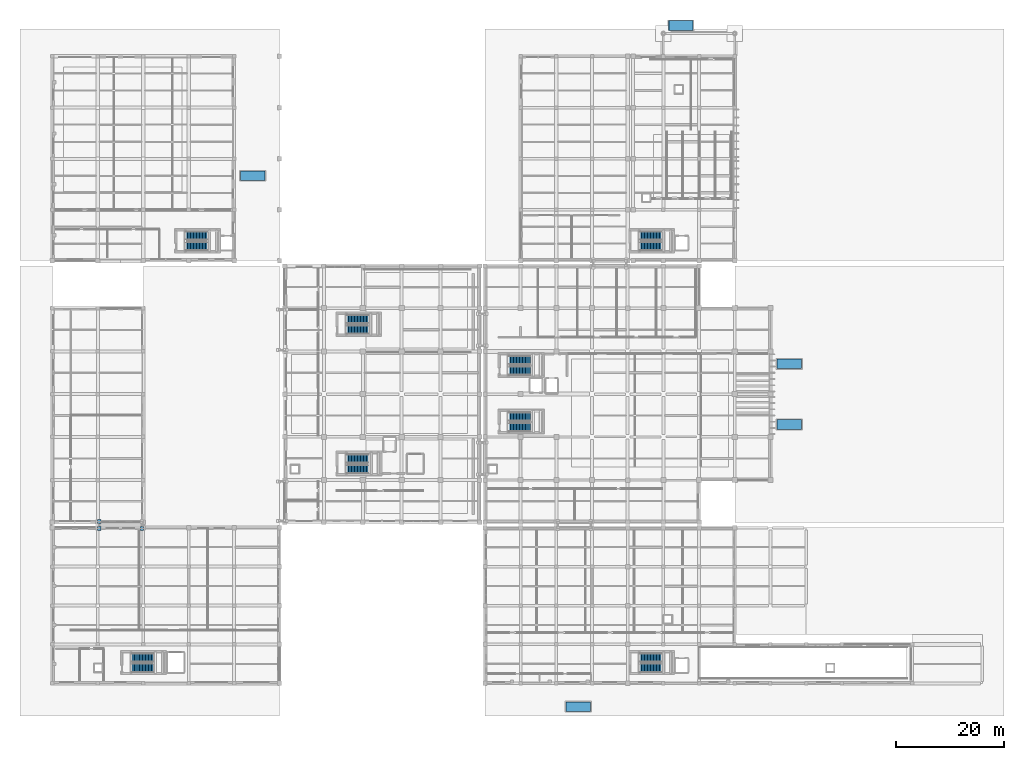
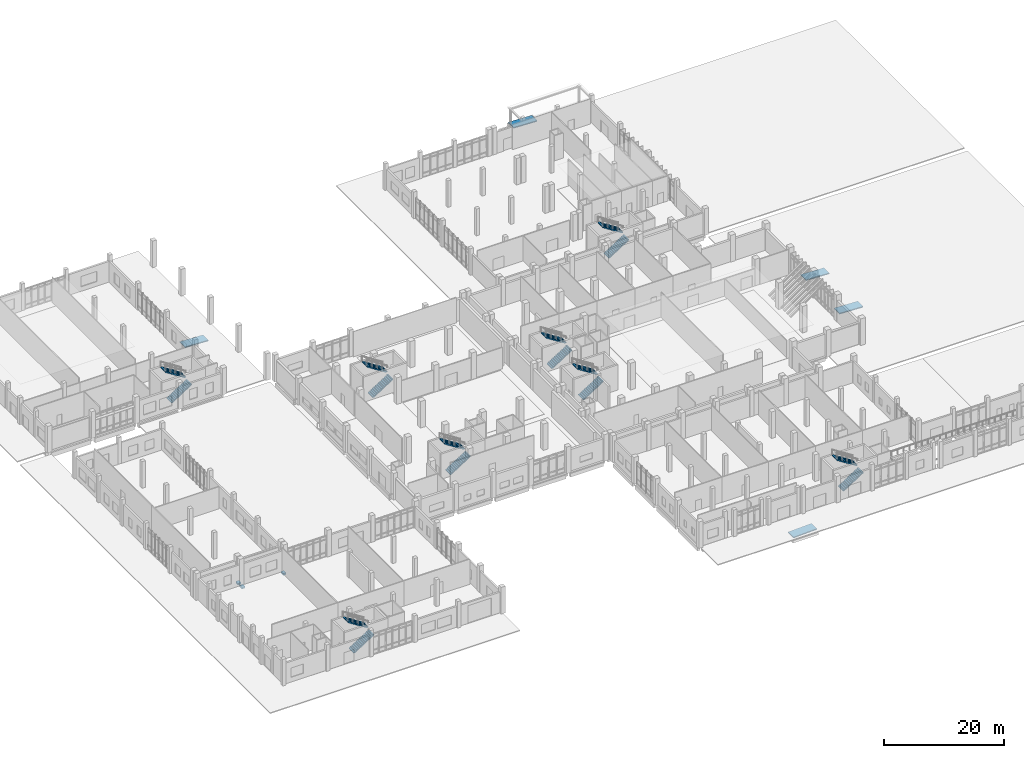
# One storey, part 62 of 79: 16 stair flights, 5 ramp flights, 3 discrete accessories, 13 elements without a shape of their own.
"""IFC4 building model written with IfcOpenShell, lengths in metres."""

from ifc_helpers import new_model, si_unit, direction, frame, origin, origin_2d, place, context, subcontext, project, spatial, polyline, rectangle, outline, extrude, material, layer, layer_set, type_object, element, aggregate, save


model = new_model("IFC4")

# Units and contexts
model_context = context("Model", 3, precision=1e-05, world=origin(), true_north=direction((0.0, 1.0)))
body_context = subcontext(model_context, "Body", "Model", "MODEL_VIEW")
ifc_project = project(units=[si_unit("LENGTHUNIT", "METRE"), si_unit("AREAUNIT", "SQUARE_METRE"), si_unit("VOLUMEUNIT", "CUBIC_METRE"), si_unit("PLANEANGLEUNIT", "RADIAN"), si_unit("MASSUNIT", "GRAM", prefix="KILO")], contexts=[model_context])

# Site, building, storey
site_placement = place(None, origin())
site = spatial("IfcSite", under=ifc_project, at=site_placement, CompositionType="ELEMENT")
building_placement = place(site_placement, origin())
building = spatial("IfcBuilding", under=site, at=building_placement, Name="Kelarvand Opera House", CompositionType="ELEMENT")
storey_placement = place(building_placement, origin())
storey = spatial("IfcBuildingStorey", under=building, at=storey_placement, Name="L00", CompositionType="ELEMENT", Elevation=0.0)

# Stair, stair flights
ifc_material_1 = material(Name="Concrete C35/45", Category="concrete")
stair_type = type_object("IfcStairType", Name="Dogleg Concrete Exit Stair 1660mm 30R STA-02", PredefinedType="HALF_TURN_STAIR", material=ifc_material_1)
stair_1_placement = place(storey_placement, origin())
stair_1 = element("IfcStair", 1, at=stair_1_placement, inside=storey, type_object=stair_type, Name="L00 Auditorium North Firefighting and Public Core C1 Stair ST-01", PredefinedType="HALF_TURN_STAIR")
stair_flight_type = type_object("IfcStairFlightType", Name="Precast Stair Flight 1660mm 15x180mm STF-02", PredefinedType="STRAIGHT", material=ifc_material_1)
stair_flight_1_placement = place(storey_placement, frame((93.4599609375, 66.830078125, 0.0), z_axis=(0.0, 0.0, 1.0), x_axis=(1.0, 0.0, 0.0)))
stair_flight_1 = element("IfcStairFlight", 2, at=stair_flight_1_placement, type_object=stair_flight_type, Name="ST-01 flight 1", NumberOfRisers=15, NumberOfTreads=14, PredefinedType="STRAIGHT", RiserHeight=0.18, TreadLength=0.28, context=body_context, shape_type="SweptSolid", body=[
    extrude(outline(polyline([(0.0, 0.0), (0.0, 0.179931640625), (0.280029296875, 0.179931640625), (0.280029296875, 0.360107421875), (0.56005859375, 0.360107421875), (0.56005859375, 0.5400390625), (0.840087890625, 0.5400390625), (0.840087890625, 0.719970703125), (1.1201171875, 0.719970703125), (1.1201171875, 0.89990234375), (1.39990234375, 0.89990234375), (1.39990234375, 1.080078125), (1.679931640625, 1.080078125), (1.679931640625, 1.260009765625), (1.9599609375, 1.260009765625), (1.9599609375, 1.43994140625), (2.239990234375, 1.43994140625), (2.239990234375, 1.6201171875), (2.52001953125, 1.6201171875), (2.52001953125, 1.800048828125), (2.800048828125, 1.800048828125), (2.800048828125, 1.97998046875), (3.080078125, 1.97998046875), (3.080078125, 2.159912109375), (3.360107421875, 2.159912109375), (3.360107421875, 2.340087890625), (3.639892578125, 2.340087890625), (3.639892578125, 2.52001953125), (3.919921875, 2.52001953125), (3.919921875, 2.699951171875), (3.919921875, 2.329833984375), (0.295654296875, 0.0), (0.0, 0.0)])), frame((0.0, 0.830078125, 0.0), z_axis=(0.0, -1.0, 0.0), x_axis=(1.0, 0.0, 0.0)), (0.0, 0.0, 1.0), 1.659912109375),
])
stair_flight_2_placement = place(storey_placement, frame((97.3798828125, 68.77001953125, 2.699951171875), z_axis=(0.0, 0.0, 1.0), x_axis=(-1.0, 0.0, 0.0)))
stair_flight_2 = element("IfcStairFlight", 3, at=stair_flight_2_placement, type_object=stair_flight_type, Name="ST-01 flight 2", NumberOfRisers=15, NumberOfTreads=14, PredefinedType="STRAIGHT", RiserHeight=0.18, TreadLength=0.28, context=body_context, shape_type="SweptSolid", body=[
    extrude(outline(polyline([(0.0, 0.0), (0.0, 0.179931640625), (0.280029296875, 0.179931640625), (0.280029296875, 0.360107421875), (0.56005859375, 0.360107421875), (0.56005859375, 0.5400390625), (0.840087890625, 0.5400390625), (0.840087890625, 0.719970703125), (1.1201171875, 0.719970703125), (1.1201171875, 0.89990234375), (1.39990234375, 0.89990234375), (1.39990234375, 1.080078125), (1.679931640625, 1.080078125), (1.679931640625, 1.260009765625), (1.9599609375, 1.260009765625), (1.9599609375, 1.43994140625), (2.239990234375, 1.43994140625), (2.239990234375, 1.6201171875), (2.52001953125, 1.6201171875), (2.52001953125, 1.800048828125), (2.800048828125, 1.800048828125), (2.800048828125, 1.97998046875), (3.080078125, 1.97998046875), (3.080078125, 2.159912109375), (3.360107421875, 2.159912109375), (3.360107421875, 2.340087890625), (3.639892578125, 2.340087890625), (3.639892578125, 2.52001953125), (3.919921875, 2.52001953125), (3.919921875, 2.699951171875), (3.919921875, 2.329833984375), (0.295654296875, 0.0), (0.0, 0.0)])), frame((0.0, 0.830078125, 0.0), z_axis=(0.0, -1.0, 0.0), x_axis=(1.0, 0.0, 0.0)), (0.0, 0.0, 1.0), 1.659912109375),
])
aggregate(stair_1, [stair_flight_1, stair_flight_2])

stair_2_placement = place(storey_placement, origin())
stair_2 = element("IfcStair", 4, at=stair_2_placement, inside=storey, type_object=stair_type, Name="L00 Stage House South Firefighting and Goods Core C2 Stair ST-02", PredefinedType="HALF_TURN_STAIR")
stair_flight_3_placement = place(storey_placement, frame((63.4599609375, 48.6298828125, 0.0), z_axis=(0.0, 0.0, 1.0), x_axis=(1.0, 0.0, 0.0)))
stair_flight_3 = element("IfcStairFlight", 5, at=stair_flight_3_placement, type_object=stair_flight_type, Name="ST-02 flight 1", NumberOfRisers=15, NumberOfTreads=14, PredefinedType="STRAIGHT", RiserHeight=0.18, TreadLength=0.28, context=body_context, shape_type="SweptSolid", body=[
    extrude(outline(polyline([(0.0, 0.0), (0.0, 0.179931640625), (0.280029296875, 0.179931640625), (0.280029296875, 0.360107421875), (0.56005859375, 0.360107421875), (0.56005859375, 0.5400390625), (0.840087890625, 0.5400390625), (0.840087890625, 0.719970703125), (1.1201171875, 0.719970703125), (1.1201171875, 0.89990234375), (1.39990234375, 0.89990234375), (1.39990234375, 1.080078125), (1.679931640625, 1.080078125), (1.679931640625, 1.260009765625), (1.9599609375, 1.260009765625), (1.9599609375, 1.43994140625), (2.239990234375, 1.43994140625), (2.239990234375, 1.6201171875), (2.52001953125, 1.6201171875), (2.52001953125, 1.800048828125), (2.800048828125, 1.800048828125), (2.800048828125, 1.97998046875), (3.080078125, 1.97998046875), (3.080078125, 2.159912109375), (3.360107421875, 2.159912109375), (3.360107421875, 2.340087890625), (3.639892578125, 2.340087890625), (3.639892578125, 2.52001953125), (3.919921875, 2.52001953125), (3.919921875, 2.699951171875), (3.919921875, 2.329833984375), (0.295654296875, 0.0), (0.0, 0.0)])), frame((0.0, 0.830078125, 0.0), z_axis=(0.0, -1.0, 0.0), x_axis=(1.0, 0.0, 0.0)), (0.0, 0.0, 1.0), 1.659912109375),
])
stair_flight_4_placement = place(storey_placement, frame((67.3798828125, 50.570068359375, 2.699951171875), z_axis=(0.0, 0.0, 1.0), x_axis=(-1.0, 0.0, 0.0)))
stair_flight_4 = element("IfcStairFlight", 6, at=stair_flight_4_placement, type_object=stair_flight_type, Name="ST-02 flight 2", NumberOfRisers=15, NumberOfTreads=14, PredefinedType="STRAIGHT", RiserHeight=0.18, TreadLength=0.28, context=body_context, shape_type="SweptSolid", body=[
    extrude(outline(polyline([(0.0, 0.0), (0.0, 0.179931640625), (0.280029296875, 0.179931640625), (0.280029296875, 0.360107421875), (0.56005859375, 0.360107421875), (0.56005859375, 0.5400390625), (0.840087890625, 0.5400390625), (0.840087890625, 0.719970703125), (1.1201171875, 0.719970703125), (1.1201171875, 0.89990234375), (1.39990234375, 0.89990234375), (1.39990234375, 1.080078125), (1.679931640625, 1.080078125), (1.679931640625, 1.260009765625), (1.9599609375, 1.260009765625), (1.9599609375, 1.43994140625), (2.239990234375, 1.43994140625), (2.239990234375, 1.6201171875), (2.52001953125, 1.6201171875), (2.52001953125, 1.800048828125), (2.800048828125, 1.800048828125), (2.800048828125, 1.97998046875), (3.080078125, 1.97998046875), (3.080078125, 2.159912109375), (3.360107421875, 2.159912109375), (3.360107421875, 2.340087890625), (3.639892578125, 2.340087890625), (3.639892578125, 2.52001953125), (3.919921875, 2.52001953125), (3.919921875, 2.699951171875), (3.919921875, 2.329833984375), (0.295654296875, 0.0), (0.0, 0.0)])), frame((0.0, 0.830078125, 0.0), z_axis=(0.0, -1.0, 0.0), x_axis=(1.0, 0.0, 0.0)), (0.0, 0.0, 1.0), 1.659912109375),
])
aggregate(stair_2, [stair_flight_3, stair_flight_4])

stair_3_placement = place(storey_placement, origin())
stair_3 = element("IfcStair", 7, at=stair_3_placement, inside=storey, type_object=stair_type, Name="L00 Fly Tower North Technical Core C3 Stair ST-03", PredefinedType="HALF_TURN_STAIR")
stair_flight_5_placement = place(storey_placement, frame((63.4599609375, 74.429931640625, 0.0), z_axis=(0.0, 0.0, 1.0), x_axis=(1.0, 0.0, 0.0)))
stair_flight_5 = element("IfcStairFlight", 8, at=stair_flight_5_placement, type_object=stair_flight_type, Name="ST-03 flight 1", NumberOfRisers=15, NumberOfTreads=14, PredefinedType="STRAIGHT", RiserHeight=0.18, TreadLength=0.28, context=body_context, shape_type="SweptSolid", body=[
    extrude(outline(polyline([(0.0, 0.0), (0.0, 0.179931640625), (0.280029296875, 0.179931640625), (0.280029296875, 0.360107421875), (0.56005859375, 0.360107421875), (0.56005859375, 0.5400390625), (0.840087890625, 0.5400390625), (0.840087890625, 0.719970703125), (1.1201171875, 0.719970703125), (1.1201171875, 0.89990234375), (1.39990234375, 0.89990234375), (1.39990234375, 1.080078125), (1.679931640625, 1.080078125), (1.679931640625, 1.260009765625), (1.9599609375, 1.260009765625), (1.9599609375, 1.43994140625), (2.239990234375, 1.43994140625), (2.239990234375, 1.6201171875), (2.52001953125, 1.6201171875), (2.52001953125, 1.800048828125), (2.800048828125, 1.800048828125), (2.800048828125, 1.97998046875), (3.080078125, 1.97998046875), (3.080078125, 2.159912109375), (3.360107421875, 2.159912109375), (3.360107421875, 2.340087890625), (3.639892578125, 2.340087890625), (3.639892578125, 2.52001953125), (3.919921875, 2.52001953125), (3.919921875, 2.699951171875), (3.919921875, 2.329833984375), (0.295654296875, 0.0), (0.0, 0.0)])), frame((0.0, 0.830078125, 0.0), z_axis=(0.0, -1.0, 0.0), x_axis=(1.0, 0.0, 0.0)), (0.0, 0.0, 1.0), 1.659912109375),
])
stair_flight_6_placement = place(storey_placement, frame((67.3798828125, 76.3701171875, 2.699951171875), z_axis=(0.0, 0.0, 1.0), x_axis=(-1.0, 0.0, 0.0)))
stair_flight_6 = element("IfcStairFlight", 9, at=stair_flight_6_placement, type_object=stair_flight_type, Name="ST-03 flight 2", NumberOfRisers=15, NumberOfTreads=14, PredefinedType="STRAIGHT", RiserHeight=0.18, TreadLength=0.28, context=body_context, shape_type="SweptSolid", body=[
    extrude(outline(polyline([(0.0, 0.0), (0.0, 0.179931640625), (0.280029296875, 0.179931640625), (0.280029296875, 0.360107421875), (0.56005859375, 0.360107421875), (0.56005859375, 0.5400390625), (0.840087890625, 0.5400390625), (0.840087890625, 0.719970703125), (1.1201171875, 0.719970703125), (1.1201171875, 0.89990234375), (1.39990234375, 0.89990234375), (1.39990234375, 1.080078125), (1.679931640625, 1.080078125), (1.679931640625, 1.260009765625), (1.9599609375, 1.260009765625), (1.9599609375, 1.43994140625), (2.239990234375, 1.43994140625), (2.239990234375, 1.6201171875), (2.52001953125, 1.6201171875), (2.52001953125, 1.800048828125), (2.800048828125, 1.800048828125), (2.800048828125, 1.97998046875), (3.080078125, 1.97998046875), (3.080078125, 2.159912109375), (3.360107421875, 2.159912109375), (3.360107421875, 2.340087890625), (3.639892578125, 2.340087890625), (3.639892578125, 2.52001953125), (3.919921875, 2.52001953125), (3.919921875, 2.699951171875), (3.919921875, 2.329833984375), (0.295654296875, 0.0), (0.0, 0.0)])), frame((0.0, 0.830078125, 0.0), z_axis=(0.0, -1.0, 0.0), x_axis=(1.0, 0.0, 0.0)), (0.0, 0.0, 1.0), 1.659912109375),
])
aggregate(stair_3, [stair_flight_5, stair_flight_6])

stair_4_placement = place(storey_placement, origin())
stair_4 = element("IfcStair", 10, at=stair_4_placement, inside=storey, type_object=stair_type, Name="L00 Auditorium South Foyer Core C4 Stair ST-04", PredefinedType="HALF_TURN_STAIR")
stair_flight_7_placement = place(storey_placement, frame((93.4599609375, 56.3798828125, 0.0), z_axis=(0.0, 0.0, 1.0), x_axis=(1.0, 0.0, 0.0)))
stair_flight_7 = element("IfcStairFlight", 11, at=stair_flight_7_placement, type_object=stair_flight_type, Name="ST-04 flight 1", NumberOfRisers=15, NumberOfTreads=14, PredefinedType="STRAIGHT", RiserHeight=0.18, TreadLength=0.28, context=body_context, shape_type="SweptSolid", body=[
    extrude(outline(polyline([(0.0, 0.0), (0.0, 0.179931640625), (0.280029296875, 0.179931640625), (0.280029296875, 0.360107421875), (0.56005859375, 0.360107421875), (0.56005859375, 0.5400390625), (0.840087890625, 0.5400390625), (0.840087890625, 0.719970703125), (1.1201171875, 0.719970703125), (1.1201171875, 0.89990234375), (1.39990234375, 0.89990234375), (1.39990234375, 1.080078125), (1.679931640625, 1.080078125), (1.679931640625, 1.260009765625), (1.9599609375, 1.260009765625), (1.9599609375, 1.43994140625), (2.239990234375, 1.43994140625), (2.239990234375, 1.6201171875), (2.52001953125, 1.6201171875), (2.52001953125, 1.800048828125), (2.800048828125, 1.800048828125), (2.800048828125, 1.97998046875), (3.080078125, 1.97998046875), (3.080078125, 2.159912109375), (3.360107421875, 2.159912109375), (3.360107421875, 2.340087890625), (3.639892578125, 2.340087890625), (3.639892578125, 2.52001953125), (3.919921875, 2.52001953125), (3.919921875, 2.699951171875), (3.919921875, 2.329833984375), (0.295654296875, 0.0), (0.0, 0.0)])), frame((0.0, 0.830078125, 0.0), z_axis=(0.0, -1.0, 0.0), x_axis=(1.0, 0.0, 0.0)), (0.0, 0.0, 1.0), 1.659912109375),
])
stair_flight_8_placement = place(storey_placement, frame((97.3798828125, 58.320068359375, 2.699951171875), z_axis=(0.0, 0.0, 1.0), x_axis=(-1.0, 0.0, 0.0)))
stair_flight_8 = element("IfcStairFlight", 12, at=stair_flight_8_placement, type_object=stair_flight_type, Name="ST-04 flight 2", NumberOfRisers=15, NumberOfTreads=14, PredefinedType="STRAIGHT", RiserHeight=0.18, TreadLength=0.28, context=body_context, shape_type="SweptSolid", body=[
    extrude(outline(polyline([(0.0, 0.0), (0.0, 0.179931640625), (0.280029296875, 0.179931640625), (0.280029296875, 0.360107421875), (0.56005859375, 0.360107421875), (0.56005859375, 0.5400390625), (0.840087890625, 0.5400390625), (0.840087890625, 0.719970703125), (1.1201171875, 0.719970703125), (1.1201171875, 0.89990234375), (1.39990234375, 0.89990234375), (1.39990234375, 1.080078125), (1.679931640625, 1.080078125), (1.679931640625, 1.260009765625), (1.9599609375, 1.260009765625), (1.9599609375, 1.43994140625), (2.239990234375, 1.43994140625), (2.239990234375, 1.6201171875), (2.52001953125, 1.6201171875), (2.52001953125, 1.800048828125), (2.800048828125, 1.800048828125), (2.800048828125, 1.97998046875), (3.080078125, 1.97998046875), (3.080078125, 2.159912109375), (3.360107421875, 2.159912109375), (3.360107421875, 2.340087890625), (3.639892578125, 2.340087890625), (3.639892578125, 2.52001953125), (3.919921875, 2.52001953125), (3.919921875, 2.699951171875), (3.919921875, 2.329833984375), (0.295654296875, 0.0), (0.0, 0.0)])), frame((0.0, 0.830078125, 0.0), z_axis=(0.0, -1.0, 0.0), x_axis=(1.0, 0.0, 0.0)), (0.0, 0.0, 1.0), 1.659912109375),
])
aggregate(stair_4, [stair_flight_7, stair_flight_8])

stair_5_placement = place(storey_placement, origin())
stair_5 = element("IfcStair", 13, at=stair_5_placement, inside=storey, type_object=stair_type, Name="L00 Rehearsal Pavilion Core C5 Stair ST-05", PredefinedType="HALF_TURN_STAIR")
stair_flight_9_placement = place(storey_placement, frame((33.659912109375, 89.830078125, 0.0), z_axis=(0.0, 0.0, 1.0), x_axis=(1.0, 0.0, 0.0)))
stair_flight_9 = element("IfcStairFlight", 14, at=stair_flight_9_placement, type_object=stair_flight_type, Name="ST-05 flight 1", NumberOfRisers=15, NumberOfTreads=14, PredefinedType="STRAIGHT", RiserHeight=0.18, TreadLength=0.28, context=body_context, shape_type="SweptSolid", body=[
    extrude(outline(polyline([(0.0, 0.0), (0.0, 0.179931640625), (0.280029296875, 0.179931640625), (0.280029296875, 0.360107421875), (0.56005859375, 0.360107421875), (0.56005859375, 0.5400390625), (0.840087890625, 0.5400390625), (0.840087890625, 0.719970703125), (1.1201171875, 0.719970703125), (1.1201171875, 0.89990234375), (1.39990234375, 0.89990234375), (1.39990234375, 1.080078125), (1.679931640625, 1.080078125), (1.679931640625, 1.260009765625), (1.9599609375, 1.260009765625), (1.9599609375, 1.43994140625), (2.239990234375, 1.43994140625), (2.239990234375, 1.6201171875), (2.52001953125, 1.6201171875), (2.52001953125, 1.800048828125), (2.800048828125, 1.800048828125), (2.800048828125, 1.97998046875), (3.080078125, 1.97998046875), (3.080078125, 2.159912109375), (3.360107421875, 2.159912109375), (3.360107421875, 2.340087890625), (3.639892578125, 2.340087890625), (3.639892578125, 2.52001953125), (3.919921875, 2.52001953125), (3.919921875, 2.699951171875), (3.919921875, 2.329833984375), (0.295654296875, 0.0), (0.0, 0.0)])), frame((0.0, 0.830078125, 0.0), z_axis=(0.0, -1.0, 0.0), x_axis=(1.0, 0.0, 0.0)), (0.0, 0.0, 1.0), 1.659912109375),
])
stair_flight_10_placement = place(storey_placement, frame((37.580078125, 91.77001953125, 2.699951171875), z_axis=(0.0, 0.0, 1.0), x_axis=(-1.0, 0.0, 0.0)))
stair_flight_10 = element("IfcStairFlight", 15, at=stair_flight_10_placement, type_object=stair_flight_type, Name="ST-05 flight 2", NumberOfRisers=15, NumberOfTreads=14, PredefinedType="STRAIGHT", RiserHeight=0.18, TreadLength=0.28, context=body_context, shape_type="SweptSolid", body=[
    extrude(outline(polyline([(0.0, 0.0), (0.0, 0.179931640625), (0.280029296875, 0.179931640625), (0.280029296875, 0.360107421875), (0.56005859375, 0.360107421875), (0.56005859375, 0.5400390625), (0.840087890625, 0.5400390625), (0.840087890625, 0.719970703125), (1.1201171875, 0.719970703125), (1.1201171875, 0.89990234375), (1.39990234375, 0.89990234375), (1.39990234375, 1.080078125), (1.679931640625, 1.080078125), (1.679931640625, 1.260009765625), (1.9599609375, 1.260009765625), (1.9599609375, 1.43994140625), (2.239990234375, 1.43994140625), (2.239990234375, 1.6201171875), (2.52001953125, 1.6201171875), (2.52001953125, 1.800048828125), (2.800048828125, 1.800048828125), (2.800048828125, 1.97998046875), (3.080078125, 1.97998046875), (3.080078125, 2.159912109375), (3.360107421875, 2.159912109375), (3.360107421875, 2.340087890625), (3.639892578125, 2.340087890625), (3.639892578125, 2.52001953125), (3.919921875, 2.52001953125), (3.919921875, 2.699951171875), (3.919921875, 2.329833984375), (0.295654296875, 0.0), (0.0, 0.0)])), frame((0.0, 0.830078125, 0.0), z_axis=(0.0, -1.0, 0.0), x_axis=(1.0, 0.0, 0.0)), (0.0, 0.0, 1.0), 1.659912109375),
])
aggregate(stair_5, [stair_flight_9, stair_flight_10])

stair_6_placement = place(storey_placement, origin())
stair_6 = element("IfcStair", 16, at=stair_6_placement, inside=storey, type_object=stair_type, Name="L00 Scenery Workshop and Freight Core C6 Stair ST-06", PredefinedType="HALF_TURN_STAIR")
stair_flight_11_placement = place(storey_placement, frame((23.659912109375, 11.830078125, 0.0), z_axis=(0.0, 0.0, 1.0), x_axis=(1.0, 0.0, 0.0)))
stair_flight_11 = element("IfcStairFlight", 17, at=stair_flight_11_placement, type_object=stair_flight_type, Name="ST-06 flight 1", NumberOfRisers=15, NumberOfTreads=14, PredefinedType="STRAIGHT", RiserHeight=0.18, TreadLength=0.28, context=body_context, shape_type="SweptSolid", body=[
    extrude(outline(polyline([(0.0, 0.0), (0.0, 0.179931640625), (0.280029296875, 0.179931640625), (0.280029296875, 0.360107421875), (0.56005859375, 0.360107421875), (0.56005859375, 0.5400390625), (0.840087890625, 0.5400390625), (0.840087890625, 0.719970703125), (1.1201171875, 0.719970703125), (1.1201171875, 0.89990234375), (1.39990234375, 0.89990234375), (1.39990234375, 1.080078125), (1.679931640625, 1.080078125), (1.679931640625, 1.260009765625), (1.9599609375, 1.260009765625), (1.9599609375, 1.43994140625), (2.239990234375, 1.43994140625), (2.239990234375, 1.6201171875), (2.52001953125, 1.6201171875), (2.52001953125, 1.800048828125), (2.800048828125, 1.800048828125), (2.800048828125, 1.97998046875), (3.080078125, 1.97998046875), (3.080078125, 2.159912109375), (3.360107421875, 2.159912109375), (3.360107421875, 2.340087890625), (3.639892578125, 2.340087890625), (3.639892578125, 2.52001953125), (3.919921875, 2.52001953125), (3.919921875, 2.699951171875), (3.919921875, 2.329833984375), (0.295654296875, 0.0), (0.0, 0.0)])), frame((0.0, 0.830078125, 0.0), z_axis=(0.0, -1.0, 0.0), x_axis=(1.0, 0.0, 0.0)), (0.0, 0.0, 1.0), 1.659912109375),
])
stair_flight_12_placement = place(storey_placement, frame((27.580078125, 13.77001953125, 2.699951171875), z_axis=(0.0, 0.0, 1.0), x_axis=(-1.0, 0.0, 0.0)))
stair_flight_12 = element("IfcStairFlight", 18, at=stair_flight_12_placement, type_object=stair_flight_type, Name="ST-06 flight 2", NumberOfRisers=15, NumberOfTreads=14, PredefinedType="STRAIGHT", RiserHeight=0.18, TreadLength=0.28, context=body_context, shape_type="SweptSolid", body=[
    extrude(outline(polyline([(0.0, 0.0), (0.0, 0.179931640625), (0.280029296875, 0.179931640625), (0.280029296875, 0.360107421875), (0.56005859375, 0.360107421875), (0.56005859375, 0.5400390625), (0.840087890625, 0.5400390625), (0.840087890625, 0.719970703125), (1.1201171875, 0.719970703125), (1.1201171875, 0.89990234375), (1.39990234375, 0.89990234375), (1.39990234375, 1.080078125), (1.679931640625, 1.080078125), (1.679931640625, 1.260009765625), (1.9599609375, 1.260009765625), (1.9599609375, 1.43994140625), (2.239990234375, 1.43994140625), (2.239990234375, 1.6201171875), (2.52001953125, 1.6201171875), (2.52001953125, 1.800048828125), (2.800048828125, 1.800048828125), (2.800048828125, 1.97998046875), (3.080078125, 1.97998046875), (3.080078125, 2.159912109375), (3.360107421875, 2.159912109375), (3.360107421875, 2.340087890625), (3.639892578125, 2.340087890625), (3.639892578125, 2.52001953125), (3.919921875, 2.52001953125), (3.919921875, 2.699951171875), (3.919921875, 2.329833984375), (0.295654296875, 0.0), (0.0, 0.0)])), frame((0.0, 0.830078125, 0.0), z_axis=(0.0, -1.0, 0.0), x_axis=(1.0, 0.0, 0.0)), (0.0, 0.0, 1.0), 1.659912109375),
])
aggregate(stair_6, [stair_flight_11, stair_flight_12])

stair_7_placement = place(storey_placement, origin())
stair_7 = element("IfcStair", 19, at=stair_7_placement, inside=storey, type_object=stair_type, Name="L00 North Park Foyer Core C7 Stair ST-07", PredefinedType="HALF_TURN_STAIR")
stair_flight_13_placement = place(storey_placement, frame((117.659912109375, 89.830078125, 0.0), z_axis=(0.0, 0.0, 1.0), x_axis=(1.0, 0.0, 0.0)))
stair_flight_13 = element("IfcStairFlight", 20, at=stair_flight_13_placement, type_object=stair_flight_type, Name="ST-07 flight 1", NumberOfRisers=15, NumberOfTreads=14, PredefinedType="STRAIGHT", RiserHeight=0.18, TreadLength=0.28, context=body_context, shape_type="SweptSolid", body=[
    extrude(outline(polyline([(0.0, 0.0), (0.0, 0.179931640625), (0.280029296875, 0.179931640625), (0.280029296875, 0.360107421875), (0.56005859375, 0.360107421875), (0.56005859375, 0.5400390625), (0.840087890625, 0.5400390625), (0.840087890625, 0.719970703125), (1.1201171875, 0.719970703125), (1.1201171875, 0.89990234375), (1.39990234375, 0.89990234375), (1.39990234375, 1.080078125), (1.679931640625, 1.080078125), (1.679931640625, 1.260009765625), (1.9599609375, 1.260009765625), (1.9599609375, 1.43994140625), (2.239990234375, 1.43994140625), (2.239990234375, 1.6201171875), (2.52001953125, 1.6201171875), (2.52001953125, 1.800048828125), (2.800048828125, 1.800048828125), (2.800048828125, 1.97998046875), (3.080078125, 1.97998046875), (3.080078125, 2.159912109375), (3.360107421875, 2.159912109375), (3.360107421875, 2.340087890625), (3.639892578125, 2.340087890625), (3.639892578125, 2.52001953125), (3.919921875, 2.52001953125), (3.919921875, 2.699951171875), (3.919921875, 2.329833984375), (0.295654296875, 0.0), (0.0, 0.0)])), frame((0.0, 0.830078125, 0.0), z_axis=(0.0, -1.0, 0.0), x_axis=(1.0, 0.0, 0.0)), (0.0, 0.0, 1.0), 1.659912109375),
])
stair_flight_14_placement = place(storey_placement, frame((121.580078125, 91.77001953125, 2.699951171875), z_axis=(0.0, 0.0, 1.0), x_axis=(-1.0, 0.0, 0.0)))
stair_flight_14 = element("IfcStairFlight", 21, at=stair_flight_14_placement, type_object=stair_flight_type, Name="ST-07 flight 2", NumberOfRisers=15, NumberOfTreads=14, PredefinedType="STRAIGHT", RiserHeight=0.18, TreadLength=0.28, context=body_context, shape_type="SweptSolid", body=[
    extrude(outline(polyline([(0.0, 0.0), (0.0, 0.179931640625), (0.280029296875, 0.179931640625), (0.280029296875, 0.360107421875), (0.56005859375, 0.360107421875), (0.56005859375, 0.5400390625), (0.840087890625, 0.5400390625), (0.840087890625, 0.719970703125), (1.1201171875, 0.719970703125), (1.1201171875, 0.89990234375), (1.39990234375, 0.89990234375), (1.39990234375, 1.080078125), (1.679931640625, 1.080078125), (1.679931640625, 1.260009765625), (1.9599609375, 1.260009765625), (1.9599609375, 1.43994140625), (2.239990234375, 1.43994140625), (2.239990234375, 1.6201171875), (2.52001953125, 1.6201171875), (2.52001953125, 1.800048828125), (2.800048828125, 1.800048828125), (2.800048828125, 1.97998046875), (3.080078125, 1.97998046875), (3.080078125, 2.159912109375), (3.360107421875, 2.159912109375), (3.360107421875, 2.340087890625), (3.639892578125, 2.340087890625), (3.639892578125, 2.52001953125), (3.919921875, 2.52001953125), (3.919921875, 2.699951171875), (3.919921875, 2.329833984375), (0.295654296875, 0.0), (0.0, 0.0)])), frame((0.0, 0.830078125, 0.0), z_axis=(0.0, -1.0, 0.0), x_axis=(1.0, 0.0, 0.0)), (0.0, 0.0, 1.0), 1.659912109375),
])
aggregate(stair_7, [stair_flight_13, stair_flight_14])

stair_8_placement = place(storey_placement, origin())
stair_8 = element("IfcStair", 22, at=stair_8_placement, inside=storey, type_object=stair_type, Name="L00 South Dressing and Production Core C8 Stair ST-08", PredefinedType="HALF_TURN_STAIR")
stair_flight_15_placement = place(storey_placement, frame((117.659912109375, 11.830078125, 0.0), z_axis=(0.0, 0.0, 1.0), x_axis=(1.0, 0.0, 0.0)))
stair_flight_15 = element("IfcStairFlight", 23, at=stair_flight_15_placement, type_object=stair_flight_type, Name="ST-08 flight 1", NumberOfRisers=15, NumberOfTreads=14, PredefinedType="STRAIGHT", RiserHeight=0.18, TreadLength=0.28, context=body_context, shape_type="SweptSolid", body=[
    extrude(outline(polyline([(0.0, 0.0), (0.0, 0.179931640625), (0.280029296875, 0.179931640625), (0.280029296875, 0.360107421875), (0.56005859375, 0.360107421875), (0.56005859375, 0.5400390625), (0.840087890625, 0.5400390625), (0.840087890625, 0.719970703125), (1.1201171875, 0.719970703125), (1.1201171875, 0.89990234375), (1.39990234375, 0.89990234375), (1.39990234375, 1.080078125), (1.679931640625, 1.080078125), (1.679931640625, 1.260009765625), (1.9599609375, 1.260009765625), (1.9599609375, 1.43994140625), (2.239990234375, 1.43994140625), (2.239990234375, 1.6201171875), (2.52001953125, 1.6201171875), (2.52001953125, 1.800048828125), (2.800048828125, 1.800048828125), (2.800048828125, 1.97998046875), (3.080078125, 1.97998046875), (3.080078125, 2.159912109375), (3.360107421875, 2.159912109375), (3.360107421875, 2.340087890625), (3.639892578125, 2.340087890625), (3.639892578125, 2.52001953125), (3.919921875, 2.52001953125), (3.919921875, 2.699951171875), (3.919921875, 2.329833984375), (0.295654296875, 0.0), (0.0, 0.0)])), frame((0.0, 0.830078125, 0.0), z_axis=(0.0, -1.0, 0.0), x_axis=(1.0, 0.0, 0.0)), (0.0, 0.0, 1.0), 1.659912109375),
])
stair_flight_16_placement = place(storey_placement, frame((121.580078125, 13.77001953125, 2.699951171875), z_axis=(0.0, 0.0, 1.0), x_axis=(-1.0, 0.0, 0.0)))
stair_flight_16 = element("IfcStairFlight", 24, at=stair_flight_16_placement, type_object=stair_flight_type, Name="ST-08 flight 2", NumberOfRisers=15, NumberOfTreads=14, PredefinedType="STRAIGHT", RiserHeight=0.18, TreadLength=0.28, context=body_context, shape_type="SweptSolid", body=[
    extrude(outline(polyline([(0.0, 0.0), (0.0, 0.179931640625), (0.280029296875, 0.179931640625), (0.280029296875, 0.360107421875), (0.56005859375, 0.360107421875), (0.56005859375, 0.5400390625), (0.840087890625, 0.5400390625), (0.840087890625, 0.719970703125), (1.1201171875, 0.719970703125), (1.1201171875, 0.89990234375), (1.39990234375, 0.89990234375), (1.39990234375, 1.080078125), (1.679931640625, 1.080078125), (1.679931640625, 1.260009765625), (1.9599609375, 1.260009765625), (1.9599609375, 1.43994140625), (2.239990234375, 1.43994140625), (2.239990234375, 1.6201171875), (2.52001953125, 1.6201171875), (2.52001953125, 1.800048828125), (2.800048828125, 1.800048828125), (2.800048828125, 1.97998046875), (3.080078125, 1.97998046875), (3.080078125, 2.159912109375), (3.360107421875, 2.159912109375), (3.360107421875, 2.340087890625), (3.639892578125, 2.340087890625), (3.639892578125, 2.52001953125), (3.919921875, 2.52001953125), (3.919921875, 2.699951171875), (3.919921875, 2.329833984375), (0.295654296875, 0.0), (0.0, 0.0)])), frame((0.0, 0.830078125, 0.0), z_axis=(0.0, -1.0, 0.0), x_axis=(1.0, 0.0, 0.0)), (0.0, 0.0, 1.0), 1.659912109375),
])
aggregate(stair_8, [stair_flight_15, stair_flight_16])

# Ramp, ramp flight
ramp_type = type_object("IfcRampType", Name="Accessible Pedestrian Ramp Assembly", PredefinedType="STRAIGHT_RUN_RAMP", material=ifc_material_1)
ramp_1_placement = place(storey_placement, origin())
ramp_1 = element("IfcRamp", 25, at=ramp_1_placement, inside=storey, type_object=ramp_type, Name="Accessible Pedestrian Entrance Ramp 1", PredefinedType="STRAIGHT_RUN_RAMP")
ifc_layer = layer(ifc_material_1, 0.199951171875, Name="Concrete C35/45", Category="concrete")
ifc_layer_set = layer_set([ifc_layer], Name="Concrete C35/45")
ramp_flight_type = type_object("IfcRampFlightType", Name="Accessible Pedestrian Ramp Flight 200", PredefinedType="STRAIGHT", material=ifc_layer_set)
ramp_flight_1_placement = place(storey_placement, frame((143.0, 56.0, 0.0), z_axis=(0.039952883748, 0.0, 0.999201564791), x_axis=(0.999201564791, 0.0, -0.039952883748)))
ramp_flight_1 = element("IfcRampFlight", 26, at=ramp_flight_1_placement, type_object=ramp_flight_type, Name="Accessible Pedestrian Entrance Ramp 1 Flight", PredefinedType="STRAIGHT", context=body_context, shape_type="SweptSolid", body=[
    extrude(outline(polyline([(0.0, 0.0), (4.503595829478708, 0.0), (4.503595829478708, 1.8000488281250004), (0.0, 1.8000488281250004), (0.0, 0.0)])), origin(), (0.0, 0.0, -1.0), 0.199951171875),
])
aggregate(ramp_1, [ramp_flight_1])

ramp_2_placement = place(storey_placement, origin())
ramp_2 = element("IfcRamp", 27, at=ramp_2_placement, inside=storey, type_object=ramp_type, Name="Accessible Pedestrian Entrance Ramp 2", PredefinedType="STRAIGHT_RUN_RAMP")
ramp_flight_2_placement = place(storey_placement, frame((143.0, 67.199951171875, 0.0), z_axis=(0.039952883748, 0.0, 0.999201564791), x_axis=(0.999201564791, 0.0, -0.039952883748)))
ramp_flight_2 = element("IfcRampFlight", 28, at=ramp_flight_2_placement, type_object=ramp_flight_type, Name="Accessible Pedestrian Entrance Ramp 2 Flight", PredefinedType="STRAIGHT", context=body_context, shape_type="SweptSolid", body=[
    extrude(outline(polyline([(0.0, 0.0), (4.503595829478708, 0.0), (4.503595829478708, 1.8000488281250004), (0.0, 1.8000488281250004), (0.0, 0.0)])), origin(), (0.0, 0.0, -1.0), 0.199951171875),
])
aggregate(ramp_2, [ramp_flight_2])

ramp_3_placement = place(storey_placement, origin())
ramp_3 = element("IfcRamp", 29, at=ramp_3_placement, inside=storey, type_object=ramp_type, Name="Accessible Pedestrian Entrance Ramp 3", PredefinedType="STRAIGHT_RUN_RAMP")
ramp_flight_3_placement = place(storey_placement, frame((123.0, 129.800048828125, 0.0), z_axis=(0.039952883748, 0.0, 0.999201564791), x_axis=(0.999201564791, 0.0, -0.039952883748)))
ramp_flight_3 = element("IfcRampFlight", 30, at=ramp_flight_3_placement, type_object=ramp_flight_type, Name="Accessible Pedestrian Entrance Ramp 3 Flight", PredefinedType="STRAIGHT", context=body_context, shape_type="SweptSolid", body=[
    extrude(outline(polyline([(0.0, 0.0), (4.503595829478708, 0.0), (4.503595829478708, 1.8000488281250004), (0.0, 1.8000488281250004), (0.0, 0.0)])), origin(), (0.0, 0.0, -1.0), 0.199951171875),
])
aggregate(ramp_3, [ramp_flight_3])

ramp_4_placement = place(storey_placement, origin())
ramp_4 = element("IfcRamp", 31, at=ramp_4_placement, inside=storey, type_object=ramp_type, Name="Accessible Pedestrian Entrance Ramp 4", PredefinedType="STRAIGHT_RUN_RAMP")
ramp_flight_4_placement = place(storey_placement, frame((43.800048828125, 102.0, 0.0), z_axis=(0.039952883748, 0.0, 0.999201564791), x_axis=(0.999201564791, 0.0, -0.039952883748)))
ramp_flight_4 = element("IfcRampFlight", 32, at=ramp_flight_4_placement, type_object=ramp_flight_type, Name="Accessible Pedestrian Entrance Ramp 4 Flight", PredefinedType="STRAIGHT", context=body_context, shape_type="SweptSolid", body=[
    extrude(outline(polyline([(0.0, 0.0), (4.503595829478708, 0.0), (4.503595829478708, 1.8000488281250004), (0.0, 1.8000488281250004), (0.0, 0.0)])), origin(), (0.0, 0.0, -1.0), 0.199951171875),
])
aggregate(ramp_4, [ramp_flight_4])

ramp_5_placement = place(storey_placement, origin())
ramp_5 = element("IfcRamp", 33, at=ramp_5_placement, inside=storey, type_object=ramp_type, Name="Accessible Pedestrian Entrance Ramp 5", PredefinedType="STRAIGHT_RUN_RAMP")
ramp_flight_5_placement = place(storey_placement, frame((104.0, 3.800048828125, -0.179931640625), z_axis=(-0.039952883748, 0.0, 0.999201564791), x_axis=(0.999201564791, 0.0, 0.039952883748)))
ramp_flight_5 = element("IfcRampFlight", 34, at=ramp_flight_5_placement, type_object=ramp_flight_type, Name="Accessible Pedestrian Entrance Ramp 5 Flight", PredefinedType="STRAIGHT", context=body_context, shape_type="SweptSolid", body=[
    extrude(outline(polyline([(0.0, 0.0), (4.503595829478708, 0.0), (4.503595829478708, 1.8000488281250004), (0.0, 1.8000488281250004), (0.0, 0.0)])), origin(), (0.0, 0.0, -1.0), 0.199951171875),
])
aggregate(ramp_5, [ramp_flight_5])

# Discrete accessories
ifc_material_2 = material(Name="Concrete C40/50", Category="concrete")
discrete_accessory_type = type_object("IfcDiscreteAccessoryType", Name="Seismic Bridge RC Corbel Seat 750mm with 250mm PTFE Sliding Bearing", PredefinedType="SHOE", material=ifc_material_2)
for number, where, z_axis, x_axis, name in (
    (35, (17.64990234375, 37.64990234375, -0.675048828125), (0.0, 0.0, 1.0), (0.0, 1.0, 0.0), "Seismic Bridge 750mm Corbel Seat & 250mm PTFE Bearing BR-JS-W L00 1.1"),
    (36, (17.64990234375, 38.949951171875, -0.675048828125), (0.0, 0.0, 1.0), (0.0, 1.0, 0.0), "Seismic Bridge 750mm Corbel Seat & 250mm PTFE Bearing BR-JS-W L00 1.2"),
    (37, (25.550048828125, 37.64990234375, -0.675048828125), (0.0, 0.0, 1.0), (0.0, 1.0, 0.0), "Seismic Bridge 750mm Corbel Seat & 250mm PTFE Bearing BR-JS-W L00 2.1"),
):
    element("IfcDiscreteAccessory", number, at=place(storey_placement, frame(where, z_axis=z_axis, x_axis=x_axis)), inside=storey, type_object=discrete_accessory_type, Name=name, PredefinedType="SHOE", context=body_context, shape_type="SweptSolid", body=[
        extrude(rectangle(XDim=0.75, YDim=0.60009765625, at=origin_2d()), origin(), (0.0, 0.0, 1.0), 0.35009765625),
    ])

save(model, "model.ifc")
